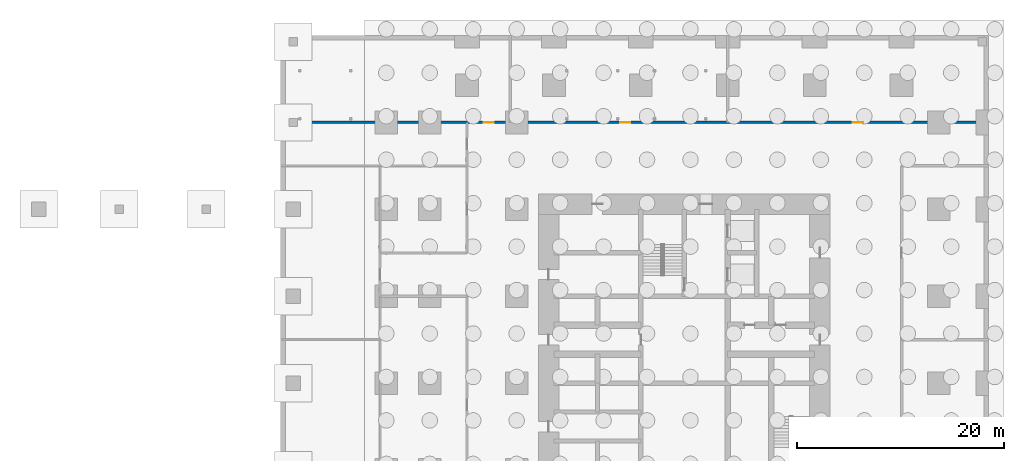
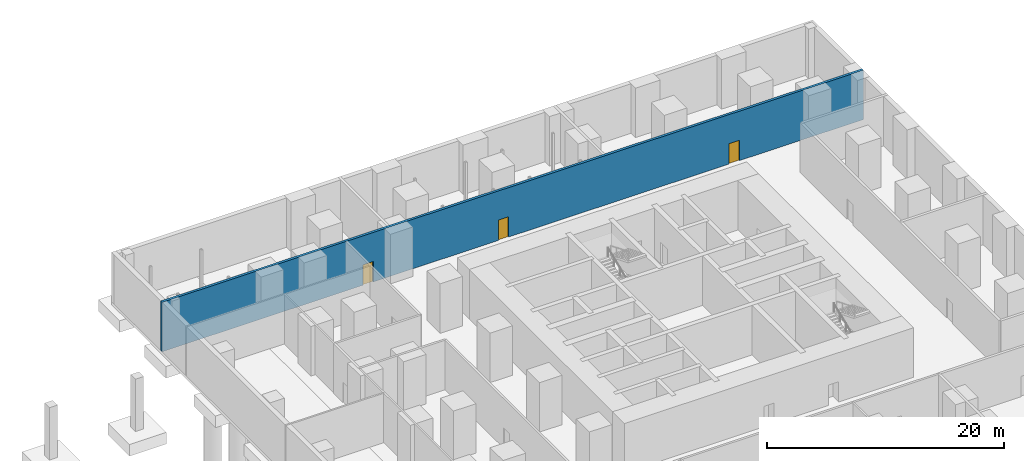
# One storey, part 14 of 18: 3 doors, 1 wall, 3 openings.
"""IFC4 building model written with IfcOpenShell, lengths in metres."""

from ifc_helpers import new_model, si_unit, direction, frame, frame_2d, origin, place, context, subcontext, project, spatial, rectangle, extrude, material, layer, layer_set, type_object, element, fill, save


model = new_model("IFC4")

# Units and contexts
model_context = context("Model", 3, precision=1e-05, world=origin(), true_north=direction((0.0, 1.0)))
body_context = subcontext(model_context, "Body", "Model", "MODEL_VIEW")
ifc_project = project(units=[si_unit("LENGTHUNIT", "METRE"), si_unit("AREAUNIT", "SQUARE_METRE"), si_unit("VOLUMEUNIT", "CUBIC_METRE"), si_unit("PLANEANGLEUNIT", "RADIAN"), si_unit("MASSUNIT", "GRAM", prefix="KILO")], contexts=[model_context])

# Site, building, storey
site_placement = place(None, origin())
site = spatial("IfcSite", under=ifc_project, at=site_placement, CompositionType="ELEMENT")
building_placement = place(site_placement, origin())
building = spatial("IfcBuilding", under=site, at=building_placement, Name="Dunama Terrace Hotel", CompositionType="ELEMENT")
storey_placement = place(building_placement, frame((0.0, 0.0, -5.39990234375)))
storey = spatial("IfcBuildingStorey", under=building, at=storey_placement, Name="B1", CompositionType="ELEMENT", Elevation=-5.39990234375)

# Wall, openings, doors
ifc_material_1 = material(Name="Concrete blockwork", Category="masonry")
ifc_layer = layer(ifc_material_1, 0.25)
ifc_layer_set = layer_set([ifc_layer], Name="Plant room wall 250")
wall_type = type_object("IfcWallType", Name="Plant room wall 250", PredefinedType="PARTITIONING", material=ifc_layer_set)
wall_placement = place(storey_placement, frame((-9.60009765625, 50.39990234375, 0.0), z_axis=(0.0, 0.0, 1.0), x_axis=(1.0, 0.0, 0.0)))
wall = element("IfcWall", 1, at=wall_placement, inside=storey, type_object=wall_type, Name="Plant room wall 250 B1", PredefinedType="PARTITIONING", context=body_context, shape_type="SweptSolid", body=[
    extrude(rectangle(XDim=68.400146484375, YDim=0.25, at=frame_2d((34.2001953125, 0.0))), origin(), (0.0, 0.0, 1.0), 5.099853515625),
])
opening_1_placement = place(wall_placement, frame((19.60009765625, 0.0, 0.0)))
opening_1 = element("IfcOpeningElement", 2, at=opening_1_placement, cuts=wall, Name="Opening B1-026", PredefinedType="OPENING", context=body_context, shape_type="SweptSolid", body=[
    extrude(rectangle(XDim=1.0, YDim=2.10009765625, at=frame_2d((0.5, 1.050048828125))), frame((0.0, 0.135009765625, 0.0), z_axis=(0.0, -1.0, 0.0), x_axis=(1.0, 0.0, 0.0)), (0.0, 0.0, 1.0), 0.27001953125),
])
opening_2_placement = place(wall_placement, frame((32.800048828125, 0.0, 0.0)))
opening_2 = element("IfcOpeningElement", 3, at=opening_2_placement, cuts=wall, Name="Opening B1-027", PredefinedType="OPENING", context=body_context, shape_type="SweptSolid", body=[
    extrude(rectangle(XDim=1.0, YDim=2.10009765625, at=frame_2d((0.5, 1.050048828125))), frame((0.0, 0.135009765625, 0.0), z_axis=(0.0, -1.0, 0.0), x_axis=(1.0, 0.0, 0.0)), (0.0, 0.0, 1.0), 0.27001953125),
])
opening_3_placement = place(wall_placement, frame((55.300048828125, 0.0, 0.0)))
opening_3 = element("IfcOpeningElement", 4, at=opening_3_placement, cuts=wall, Name="Opening B1-028", PredefinedType="OPENING", context=body_context, shape_type="SweptSolid", body=[
    extrude(rectangle(XDim=1.0, YDim=2.10009765625, at=frame_2d((0.5, 1.050048828125))), frame((0.0, 0.135009765625, 0.0), z_axis=(0.0, -1.0, 0.0), x_axis=(1.0, 0.0, 0.0)), (0.0, 0.0, 1.0), 0.27001953125),
])
ifc_material_2 = material(Name="Timber door with steel frame", Category="steel")
door_type = type_object("IfcDoorType", Name="Service door 1000", OperationType="SINGLE_SWING_LEFT", PredefinedType="DOOR", material=ifc_material_2)
door_1_placement = place(opening_1_placement, origin())
door_1 = element("IfcDoor", 5, at=door_1_placement, inside=storey, type_object=door_type, Name="Door to fire water tank room B1-026, type D7", OperationType="SINGLE_SWING_RIGHT", OverallHeight=2.10009765625, OverallWidth=1.0, PredefinedType="DOOR", context=body_context, shape_type="SweptSolid", body=[
    extrude(rectangle(XDim=1.0, YDim=2.10009765625, at=frame_2d((0.5, 1.050048828125))), frame((0.0, 0.02490234375, 0.0), z_axis=(0.0, -1.0, 0.0), x_axis=(1.0, 0.0, 0.0)), (0.0, 0.0, 1.0), 0.050048828125),
])
fill(opening_1, door_1)
door_2_placement = place(opening_2_placement, origin())
door_2 = element("IfcDoor", 6, at=door_2_placement, inside=storey, type_object=door_type, Name="Door to domestic water tank room B1-027, type D7", OperationType="SINGLE_SWING_LEFT", OverallHeight=2.10009765625, OverallWidth=1.0, PredefinedType="DOOR", context=body_context, shape_type="SweptSolid", body=[
    extrude(rectangle(XDim=1.0, YDim=2.10009765625, at=frame_2d((0.5, 1.050048828125))), frame((0.0, 0.02490234375, 0.0), z_axis=(0.0, -1.0, 0.0), x_axis=(1.0, 0.0, 0.0)), (0.0, 0.0, 1.0), 0.050048828125),
])
fill(opening_2, door_2)
door_3_placement = place(opening_3_placement, origin())
door_3 = element("IfcDoor", 7, at=door_3_placement, inside=storey, type_object=door_type, Name="Door to chiller plant room B1-028, type D7", OperationType="SINGLE_SWING_LEFT", OverallHeight=2.10009765625, OverallWidth=1.0, PredefinedType="DOOR", context=body_context, shape_type="SweptSolid", body=[
    extrude(rectangle(XDim=1.0, YDim=2.10009765625, at=frame_2d((0.5, 1.050048828125))), frame((0.0, 0.02490234375, 0.0), z_axis=(0.0, -1.0, 0.0), x_axis=(1.0, 0.0, 0.0)), (0.0, 0.0, 1.0), 0.050048828125),
])
fill(opening_3, door_3)

save(model, "model.ifc")
